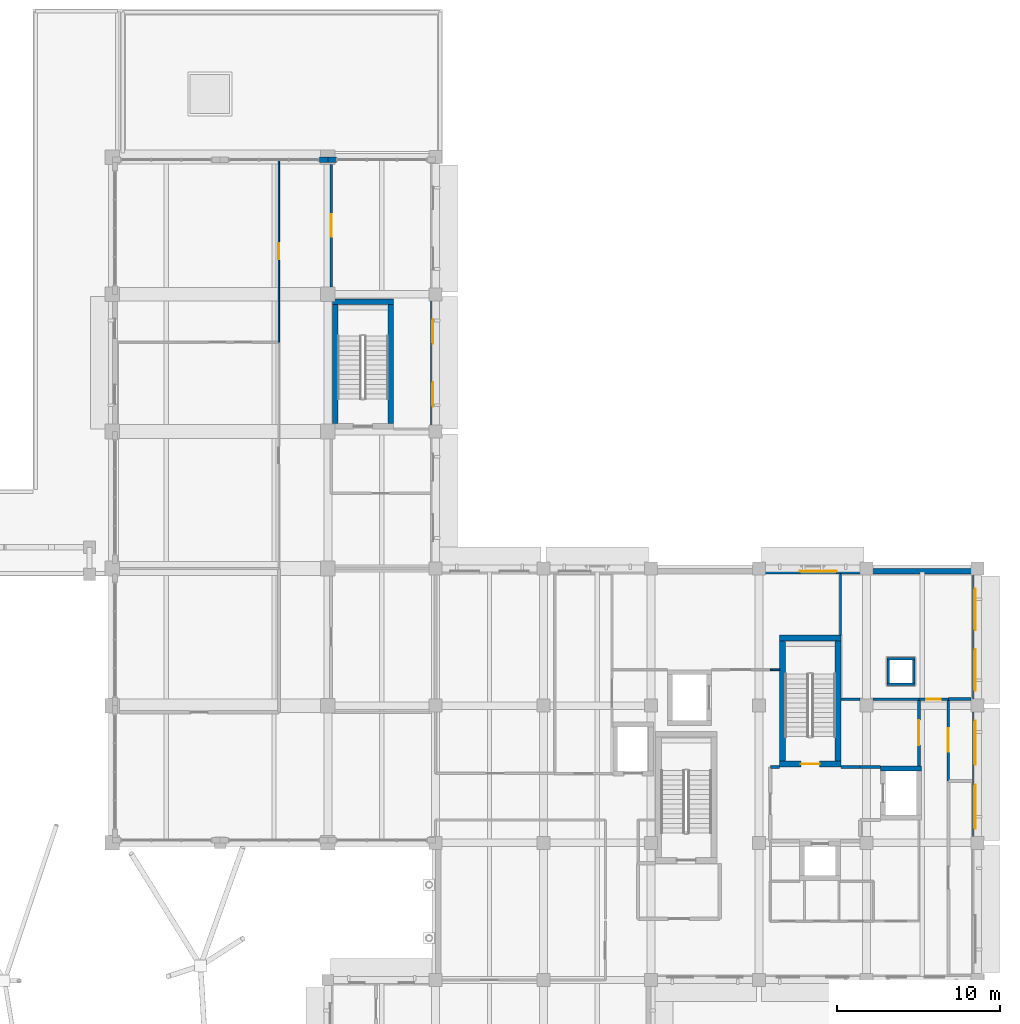
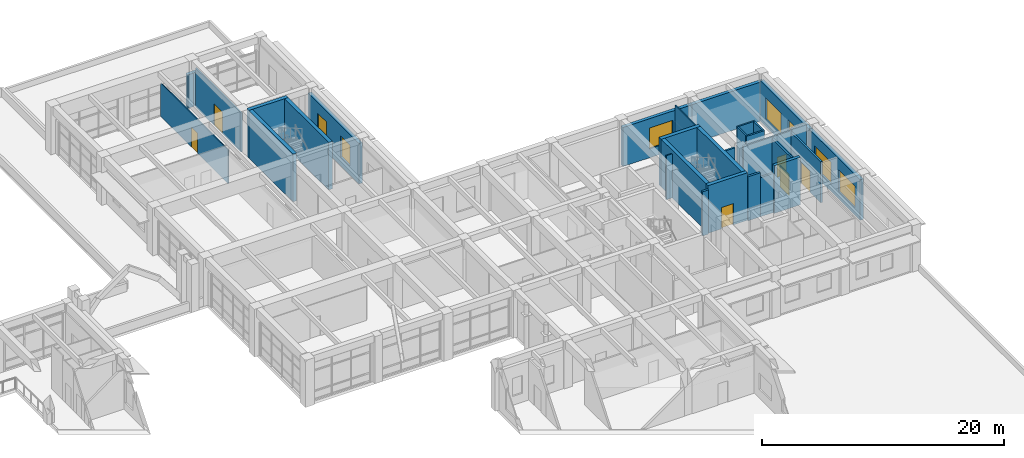
# One storey, part 55 of 75: 32 walls, 7 windows, 6 doors, 13 openings.
"""IFC4 building model written with IfcOpenShell, lengths in metres."""

from ifc_helpers import new_model, si_unit, direction, frame, frame_2d, origin, place, context, subcontext, project, spatial, rectangle, extrude, material, layer, layer_set, type_object, element, fill, save


model = new_model("IFC4")

# Units and contexts
model_context = context("Model", 3, precision=1e-05, world=origin(), true_north=direction((0.0, 1.0)))
body_context = subcontext(model_context, "Body", "Model", "MODEL_VIEW")
ifc_project = project(units=[si_unit("LENGTHUNIT", "METRE"), si_unit("AREAUNIT", "SQUARE_METRE"), si_unit("VOLUMEUNIT", "CUBIC_METRE"), si_unit("PLANEANGLEUNIT", "RADIAN"), si_unit("MASSUNIT", "GRAM", prefix="KILO")], contexts=[model_context])

# Site, building, storey
site_placement = place(None, origin())
site = spatial("IfcSite", under=ifc_project, at=site_placement, CompositionType="ELEMENT")
building_placement = place(site_placement, origin())
building = spatial("IfcBuilding", under=site, at=building_placement, Name="Kolvaren Faculty of Natural Sciences", CompositionType="ELEMENT")
storey_placement = place(building_placement, frame((0.0, 0.0, 5.39990234375)))
storey = spatial("IfcBuildingStorey", under=building, at=storey_placement, Name="L01", CompositionType="ELEMENT", Elevation=5.39990234375)

# Wall, opening, door
ifc_material_1 = material(Name="Acoustic mineral-wool insulated gypsum partition")
ifc_layer_1 = layer(ifc_material_1, 0.159912109375)
ifc_layer_set_1 = layer_set([ifc_layer_1], Name="Acoustic mineral-wool insulated gypsum partition")
wall_type_1 = type_object("IfcWallType", Name="ClassroomPartitionWall_160", PredefinedType="PARTITIONING", material=ifc_layer_set_1)
wall_1_placement = place(storey_placement, frame((170.199951171875, 76.199951171875, 0.0), z_axis=(0.0, 0.0, 1.0), x_axis=(-1.0, 0.0, 0.0)))
wall_1 = element("IfcWall", 1, at=wall_1_placement, inside=storey, type_object=wall_type_1, Name="L01 interior partition PW-160", PredefinedType="PARTITIONING", context=body_context, shape_type="SweptSolid", body=[
    extrude(rectangle(XDim=1.800048828125, YDim=0.159912109375, at=frame_2d((0.89990234375, 0.0))), origin(), (0.0, 0.0, 1.0), 4.28515625),
])
opening_1_placement = place(wall_1_placement, frame((0.449951171875, 0.0, 0.0)))
opening_1 = element("IfcOpeningElement", 2, at=opening_1_placement, cuts=wall_1, Name="Opening ID-01", PredefinedType="OPENING", context=body_context, shape_type="SweptSolid", body=[
    extrude(rectangle(XDim=0.89990234375, YDim=2.02001953125, at=frame_2d((0.449951171875, 1.010009765625))), frame((0.0, 0.08984375, 0.0), z_axis=(0.0, -1.0, 0.0), x_axis=(1.0, 0.0, 0.0)), (0.0, 0.0, 1.0), 0.179931640625),
])
ifc_material_2 = material(Name="Solid-core hardwood veneer door leaf in steel frame", Category="steel")
door_type_1 = type_object("IfcDoorType", Name="InteriorRoomDoor_900x2020", OperationType="NOTDEFINED", PredefinedType="DOOR", material=ifc_material_2)
door_1_placement = place(opening_1_placement, origin())
door_1 = element("IfcDoor", 3, at=door_1_placement, inside=storey, type_object=door_type_1, Name="D-L01-0165", OperationType="SINGLE_SWING_RIGHT", OverallHeight=2.02001953125, OverallWidth=0.89990234375, PredefinedType="DOOR", context=body_context, shape_type="SweptSolid", body=[
    extrude(rectangle(XDim=0.89990234375, YDim=2.02001953125, at=frame_2d((0.449951171875, 1.010009765625))), frame((0.0, 0.02490234375, 0.0), z_axis=(0.0, -1.0, 0.0), x_axis=(1.0, 0.0, 0.0)), (0.0, 0.0, 1.0), 0.050048828125),
])
fill(opening_1, door_1)

ifc_layer_2 = layer(ifc_material_1, 0.139892578125)
ifc_layer_set_2 = layer_set([ifc_layer_2], Name="Acoustic mineral-wool insulated gypsum partition")
wall_type_2 = type_object("IfcWallType", Name="CommonsPartitionWall_140", PredefinedType="PARTITIONING", material=ifc_layer_set_2)
wall_2_placement = place(storey_placement, frame((132.39990234375, 101.449951171875, 0.0), z_axis=(0.0, 0.0, 1.0), x_axis=(0.0, 1.0, 0.0)))
wall_2 = element("IfcWall", 4, at=wall_2_placement, inside=storey, type_object=wall_type_2, Name="L01 interior partition PW-140", PredefinedType="PARTITIONING", context=body_context, shape_type="SweptSolid", body=[
    extrude(rectangle(XDim=7.5, YDim=0.139892578125, at=frame_2d((3.75, 0.0))), origin(), (0.0, 0.0, 1.0), 3.93505859375),
])
opening_2_placement = place(wall_2_placement, frame((3.06005859375, 0.0, 0.0)))
opening_2 = element("IfcOpeningElement", 5, at=opening_2_placement, cuts=wall_2, Name="Opening ID-31", PredefinedType="OPENING", context=body_context, shape_type="SweptSolid", body=[
    extrude(rectangle(XDim=1.3798828125, YDim=2.199951171875, at=frame_2d((0.68994140625, 1.10009765625))), frame((0.0, 0.079833984375, 0.0), z_axis=(0.0, -1.0, 0.0), x_axis=(1.0, 0.0, 0.0)), (0.0, 0.0, 1.0), 0.159912109375),
])
ifc_material_3 = material(Name="Thermally broken anodised aluminium glazed door", Category="aluminium")
door_type_2 = type_object("IfcDoorType", Name="InteriorRoomDoor_1380x2200", OperationType="DOUBLE_DOOR_SINGLE_SWING", PredefinedType="DOOR", material=ifc_material_3)
door_2_placement = place(opening_2_placement, origin())
door_2 = element("IfcDoor", 6, at=door_2_placement, inside=storey, type_object=door_type_2, Name="D-L01-0167", OperationType="DOUBLE_DOOR_SINGLE_SWING", OverallHeight=2.199951171875, OverallWidth=1.3798828125, PredefinedType="DOOR", context=body_context, shape_type="SweptSolid", body=[
    extrude(rectangle(XDim=1.3798828125, YDim=2.199951171875, at=frame_2d((0.68994140625, 1.10009765625))), frame((0.0, 0.02490234375, 0.0), z_axis=(0.0, -1.0, 0.0), x_axis=(1.0, 0.0, 0.0)), (0.0, 0.0, 1.0), 0.050048828125),
])
fill(opening_2, door_2)

ifc_material_4 = material(Name="Concrete C40/50", Category="concrete")
ifc_layer_3 = layer(ifc_material_4, 0.35009765625)
ifc_layer_set_3 = layer_set([ifc_layer_3], Name="Concrete C40/50")
wall_type_3 = type_object("IfcWallType", Name="CoreShearWall_350", PredefinedType="SHEAR", material=ifc_layer_set_3)
wall_3_placement = place(storey_placement, frame((159.875, 72.22509765625, 0.0), z_axis=(0.0, 0.0, 1.0), x_axis=(1.0, 0.0, 0.0)))
wall_3 = element("IfcWall", 7, at=wall_3_placement, inside=storey, type_object=wall_type_3, Name="L01 CORE-C1 stair shear wall S", PredefinedType="SHEAR", context=body_context, shape_type="SweptSolid", body=[
    extrude(rectangle(XDim=3.75, YDim=0.35009765625, at=frame_2d((1.875, 0.0))), origin(), (0.0, 0.0, 1.0), 4.800048828125),
])
opening_3_placement = place(wall_3_placement, frame((1.300048828125, 0.0, 0.0)))
opening_3 = element("IfcOpeningElement", 8, at=opening_3_placement, cuts=wall_3, Name="Opening FD90", PredefinedType="OPENING", context=body_context, shape_type="SweptSolid", body=[
    extrude(rectangle(XDim=1.14990234375, YDim=2.14990234375, at=frame_2d((0.574951171875, 1.074951171875))), frame((0.0, 0.18505859375, 0.0), z_axis=(0.0, -1.0, 0.0), x_axis=(1.0, 0.0, 0.0)), (0.0, 0.0, 1.0), 0.3701171875),
])
ifc_material_5 = material(Name="Fire-rated solid-core hardwood door leaf in steel frame", Category="steel")
door_type_3 = type_object("IfcDoorType", Name="StairCoreFireDoor_1150x2150", OperationType="NOTDEFINED", PredefinedType="DOOR", material=ifc_material_5)
door_3_placement = place(opening_3_placement, origin())
door_3 = element("IfcDoor", 9, at=door_3_placement, inside=storey, type_object=door_type_3, Name="D-ST-ST-1-L01", OperationType="SINGLE_SWING_LEFT", OverallHeight=2.14990234375, OverallWidth=1.14990234375, PredefinedType="DOOR", context=body_context, shape_type="SweptSolid", body=[
    extrude(rectangle(XDim=1.14990234375, YDim=2.14990234375, at=frame_2d((0.574951171875, 1.074951171875))), frame((0.0, 0.02490234375, 0.0), z_axis=(0.0, -1.0, 0.0), x_axis=(1.0, 0.0, 0.0)), (0.0, 0.0, 1.0), 0.050048828125),
])
fill(opening_3, door_3)

# Walls
wall_4_placement = place(storey_placement, frame((159.875, 79.949951171875, 0.0), z_axis=(0.0, 0.0, 1.0), x_axis=(1.0, 0.0, 0.0)))
element("IfcWall", 10, at=wall_4_placement, inside=storey, type_object=wall_type_3, Name="L01 CORE-C1 stair shear wall N", PredefinedType="SHEAR", context=body_context, shape_type="SweptSolid", body=[
    extrude(rectangle(XDim=3.75, YDim=0.35009765625, at=frame_2d((1.875, 0.0))), origin(), (0.0, 0.0, 1.0), 4.800048828125),
])
for number, where, z_axis, x_axis, name in (
    (11, (160.050048828125, 72.39990234375, 0.0), (0.0, 0.0, 1.0), (0.0, 1.0, 0.0), "L01 CORE-C1 stair shear wall W"),
    (12, (163.449951171875, 72.39990234375, 0.0), (0.0, 0.0, 1.0), (0.0, 1.0, 0.0), "L01 CORE-C1 stair shear wall E"),
):
    element("IfcWall", number, at=place(storey_placement, frame(where, z_axis=z_axis, x_axis=x_axis)), inside=storey, type_object=wall_type_3, Name=name, PredefinedType="SHEAR", context=body_context, shape_type="SweptSolid", body=[
        extrude(rectangle(XDim=7.375, YDim=0.35009765625, at=frame_2d((3.6875, 0.0))), origin(), (0.0, 0.0, 1.0), 4.800048828125),
    ])
wall_5_placement = place(storey_placement, frame((132.47509765625, 100.550048828125, 0.0), z_axis=(0.0, 0.0, 1.0), x_axis=(1.0, 0.0, 0.0)))
element("IfcWall", 13, at=wall_5_placement, inside=storey, type_object=wall_type_3, Name="L01 CORE-C7 stair shear wall N", PredefinedType="SHEAR", context=body_context, shape_type="SweptSolid", body=[
    extrude(rectangle(XDim=3.75, YDim=0.35009765625, at=frame_2d((1.875, 0.0))), origin(), (0.0, 0.0, 1.0), 4.800048828125),
])
for number, where, z_axis, x_axis, name in (
    (14, (132.64990234375, 93.10009765625, 0.0), (0.0, 0.0, 1.0), (0.0, 1.0, 0.0), "L01 CORE-C7 stair shear wall W"),
    (15, (136.050048828125, 93.10009765625, 0.0), (0.0, 0.0, 1.0), (0.0, 1.0, 0.0), "L01 CORE-C7 stair shear wall E"),
):
    element("IfcWall", number, at=place(storey_placement, frame(where, z_axis=z_axis, x_axis=x_axis)), inside=storey, type_object=wall_type_3, Name=name, PredefinedType="SHEAR", context=body_context, shape_type="SweptSolid", body=[
        extrude(rectangle(XDim=7.27490234375, YDim=0.35009765625, at=frame_2d((3.637451171875, 0.0))), origin(), (0.0, 0.0, 1.0), 4.800048828125),
    ])

# Wall, opening, door
ifc_layer_4 = layer(ifc_material_1, 0.094970703125)
ifc_layer_set_4 = layer_set([ifc_layer_4], Name="Acoustic mineral-wool insulated gypsum partition")
wall_type_4 = type_object("IfcWallType", Name="CubiclePartition_095", PredefinedType="PARTITIONING", material=ifc_layer_set_4)
wall_6_placement = place(storey_placement, frame((129.199951171875, 109.199951171875, 0.0), z_axis=(0.0, 0.0, 1.0), x_axis=(0.0, -1.0, 0.0)))
wall_6 = element("IfcWall", 16, at=wall_6_placement, inside=storey, type_object=wall_type_4, Name="L01 interior partition PW-095", PredefinedType="PARTITIONING", context=body_context, shape_type="SweptSolid", body=[
    extrude(rectangle(XDim=11.139892578125, YDim=0.094970703125, at=frame_2d((5.56982421875, 0.0))), origin(), (0.0, 0.0, 1.0), 3.385009765625),
])
opening_4_placement = place(wall_6_placement, frame((5.080078125, 0.0, 0.0)))
opening_4 = element("IfcOpeningElement", 17, at=opening_4_placement, cuts=wall_6, Name="Opening ID-03", PredefinedType="OPENING", context=body_context, shape_type="SweptSolid", body=[
    extrude(rectangle(XDim=0.97998046875, YDim=2.02001953125, at=frame_2d((0.489990234375, 1.010009765625))), frame((0.0, 0.057373046875, 0.0), z_axis=(0.0, -1.0, 0.0), x_axis=(1.0, 0.0, 0.0)), (0.0, 0.0, 1.0), 0.114990234375),
])
door_type_4 = type_object("IfcDoorType", Name="InteriorRoomDoor_980x2020", OperationType="NOTDEFINED", PredefinedType="DOOR", material=ifc_material_2)
door_4_placement = place(opening_4_placement, origin())
door_4 = element("IfcDoor", 18, at=door_4_placement, inside=storey, type_object=door_type_4, Name="D-L01-0128", OperationType="SINGLE_SWING_RIGHT", OverallHeight=2.02001953125, OverallWidth=0.97998046875, PredefinedType="DOOR", context=body_context, shape_type="SweptSolid", body=[
    extrude(rectangle(XDim=0.97998046875, YDim=2.02001953125, at=frame_2d((0.489990234375, 1.010009765625))), frame((0.0, 0.02490234375, 0.0), z_axis=(0.0, -1.0, 0.0), x_axis=(1.0, 0.0, 0.0)), (0.0, 0.0, 1.0), 0.050048828125),
])
fill(opening_4, door_4)

# Walls
ifc_material_6 = material(Name="Sandstone-faced insulated cavity masonry", Category="masonry")
ifc_layer_5 = layer(ifc_material_6, 0.320068359375)
ifc_layer_set_5 = layer_set([ifc_layer_5], Name="Sandstone-faced insulated cavity masonry")
wall_type_5 = type_object("IfcWallType", Name="ExteriorCavityWall_320", PredefinedType="STANDARD", material=ifc_layer_set_5)
for number, where, z_axis, x_axis, name in (
    (19, (131.679931640625, 109.239990234375, 0.0), (0.0, 0.0, 1.0), (1.0, 0.0, 0.0), "L01 curtain-wall pier stub 205"),
    (20, (132.199951171875, 109.239990234375, 0.0), (0.0, 0.0, 1.0), (1.0, 0.0, 0.0), "L01 curtain-wall pier stub 206"),
):
    element("IfcWall", number, at=place(storey_placement, frame(where, z_axis=z_axis, x_axis=x_axis)), inside=storey, type_object=wall_type_5, Name=name, PredefinedType="STANDARD", context=body_context, shape_type="SweptSolid", body=[
        extrude(rectangle(XDim=0.52001953125, YDim=0.320068359375, at=frame_2d((0.260009765625, 0.0))), origin(), (0.0, 0.0, 1.0), 3.385009765625),
    ])

# Wall, openings, windows
wall_7_placement = place(storey_placement, frame((138.639892578125, 101.0, 0.0), z_axis=(0.0, 0.0, 1.0), x_axis=(0.0, -1.0, 0.0)))
wall_7 = element("IfcWall", 21, at=wall_7_placement, inside=storey, type_object=wall_type_5, Name="L01 exterior masonry wall EW-320 (209)", PredefinedType="STANDARD", context=body_context, shape_type="SweptSolid", body=[
    extrude(rectangle(XDim=8.39990234375, YDim=0.320068359375, at=frame_2d((4.199951171875, 0.0))), origin(), (0.0, 0.0, 1.0), 4.085205078125),
])
opening_5_placement = place(wall_7_placement, frame((1.51806640625, 0.0, 0.89990234375)))
opening_5 = element("IfcOpeningElement", 22, at=opening_5_placement, cuts=wall_7, Name="Opening WIN-03", PredefinedType="OPENING", context=body_context, shape_type="SweptSolid", body=[
    extrude(rectangle(XDim=1.5, YDim=2.10009765625, at=frame_2d((0.75, 1.050048828125))), frame((0.0, 0.169921875, 0.0), z_axis=(0.0, -1.0, 0.0), x_axis=(1.0, 0.0, 0.0)), (0.0, 0.0, 1.0), 0.340087890625),
])
opening_6_placement = place(wall_7_placement, frame((5.382080078125, 0.0, 0.89990234375)))
opening_6 = element("IfcOpeningElement", 23, at=opening_6_placement, cuts=wall_7, Name="Opening WIN-03", PredefinedType="OPENING", context=body_context, shape_type="SweptSolid", body=[
    extrude(rectangle(XDim=1.5, YDim=2.10009765625, at=frame_2d((0.75, 1.050048828125))), frame((0.0, 0.169921875, 0.0), z_axis=(0.0, -1.0, 0.0), x_axis=(1.0, 0.0, 0.0)), (0.0, 0.0, 1.0), 0.340087890625),
])
ifc_material_7 = material(Name="Double low-E solar control insulated glazing", Category="glass")
window_type_1 = type_object("IfcWindowType", Name="AluWindow_WIN03_1500x2100", PartitioningType="SINGLE_PANEL", PredefinedType="WINDOW", material=ifc_material_7)
window_1_placement = place(opening_5_placement, origin())
window_1 = element("IfcWindow", 24, at=window_1_placement, inside=storey, type_object=window_type_1, Name="WIN-L01-0177", OverallHeight=2.10009765625, OverallWidth=1.5, PartitioningType="SINGLE_PANEL", PredefinedType="WINDOW", context=body_context, shape_type="SweptSolid", body=[
    extrude(rectangle(XDim=1.5, YDim=2.10009765625, at=frame_2d((0.75, 1.050048828125))), frame((0.0, 0.030029296875, 0.0), z_axis=(0.0, -1.0, 0.0), x_axis=(1.0, 0.0, 0.0)), (0.0, 0.0, 1.0), 0.06005859375),
])
fill(opening_5, window_1)
window_2_placement = place(opening_6_placement, origin())
window_2 = element("IfcWindow", 25, at=window_2_placement, inside=storey, type_object=window_type_1, Name="WIN-L01-0178", OverallHeight=2.10009765625, OverallWidth=1.5, PartitioningType="SINGLE_PANEL", PredefinedType="WINDOW", context=body_context, shape_type="SweptSolid", body=[
    extrude(rectangle(XDim=1.5, YDim=2.10009765625, at=frame_2d((0.75, 1.050048828125))), frame((0.0, 0.030029296875, 0.0), z_axis=(0.0, -1.0, 0.0), x_axis=(1.0, 0.0, 0.0)), (0.0, 0.0, 1.0), 0.06005859375),
])
fill(opening_6, window_2)

# Wall, opening, window
wall_8_placement = place(storey_placement, frame((158.60009765625, 84.0400390625, 0.0), z_axis=(0.0, 0.0, 1.0), x_axis=(1.0, 0.0, 0.0)))
wall_8 = element("IfcWall", 26, at=wall_8_placement, inside=storey, type_object=wall_type_5, Name="L01 exterior masonry wall EW-320 (214)", PredefinedType="STANDARD", context=body_context, shape_type="SweptSolid", body=[
    extrude(rectangle(XDim=6.599853515625, YDim=0.320068359375, at=frame_2d((3.2998046875, 0.0))), origin(), (0.0, 0.0, 1.0), 3.93505859375),
])
opening_7_placement = place(wall_8_placement, frame((2.510009765625, 0.0, 0.89990234375)))
opening_7 = element("IfcOpeningElement", 27, at=opening_7_placement, cuts=wall_8, Name="Opening WIN-08", PredefinedType="OPENING", context=body_context, shape_type="SweptSolid", body=[
    extrude(rectangle(XDim=2.25, YDim=2.10009765625, at=frame_2d((1.125, 1.050048828125))), frame((0.0, 0.169921875, 0.0), z_axis=(0.0, -1.0, 0.0), x_axis=(1.0, 0.0, 0.0)), (0.0, 0.0, 1.0), 0.340087890625),
])
window_type_2 = type_object("IfcWindowType", Name="AluWindow_WIN08_2250x2100", PartitioningType="SINGLE_PANEL", PredefinedType="WINDOW", material=ifc_material_7)
window_3_placement = place(opening_7_placement, origin())
window_3 = element("IfcWindow", 28, at=window_3_placement, inside=storey, type_object=window_type_2, Name="WIN-L01-0184", OverallHeight=2.10009765625, OverallWidth=2.25, PartitioningType="SINGLE_PANEL", PredefinedType="WINDOW", context=body_context, shape_type="SweptSolid", body=[
    extrude(rectangle(XDim=2.25, YDim=2.10009765625, at=frame_2d((1.125, 1.050048828125))), frame((0.0, 0.030029296875, 0.0), z_axis=(0.0, -1.0, 0.0), x_axis=(1.0, 0.0, 0.0)), (0.0, 0.0, 1.0), 0.06005859375),
])
fill(opening_7, window_3)

# Wall
wall_9_placement = place(storey_placement, frame((165.199951171875, 84.0400390625, 0.0), z_axis=(0.0, 0.0, 1.0), x_axis=(1.0, 0.0, 0.0)))
element("IfcWall", 29, at=wall_9_placement, inside=storey, type_object=wall_type_5, Name="L01 exterior masonry wall EW-320 (215)", PredefinedType="STANDARD", context=body_context, shape_type="SweptSolid", body=[
    extrude(rectangle(XDim=6.800048828125, YDim=0.320068359375, at=frame_2d((3.39990234375, 0.0))), origin(), (0.0, 0.0, 1.0), 3.93505859375),
])

# Wall, openings, windows
wall_10_placement = place(storey_placement, frame((171.840087890625, 83.8798828125, 0.0), z_axis=(0.0, 0.0, 1.0), x_axis=(0.0, -1.0, 0.0)))
wall_10 = element("IfcWall", 30, at=wall_10_placement, inside=storey, type_object=wall_type_5, Name="L01 exterior masonry wall EW-320 (216)", PredefinedType="STANDARD", context=body_context, shape_type="SweptSolid", body=[
    extrude(rectangle(XDim=8.079833984375, YDim=0.320068359375, at=frame_2d((4.0400390625, 0.0))), origin(), (0.0, 0.0, 1.0), 4.085205078125),
])
opening_8_placement = place(wall_10_placement, frame((0.906494140625, 0.0, 0.75)))
opening_8 = element("IfcOpeningElement", 31, at=opening_8_placement, cuts=wall_10, Name="Opening WIN-10", PredefinedType="OPENING", context=body_context, shape_type="SweptSolid", body=[
    extrude(rectangle(XDim=2.550048828125, YDim=2.14990234375, at=frame_2d((1.27490234375, 1.074951171875))), frame((0.0, 0.169921875, 0.0), z_axis=(0.0, -1.0, 0.0), x_axis=(1.0, 0.0, 0.0)), (0.0, 0.0, 1.0), 0.340087890625),
])
opening_9_placement = place(wall_10_placement, frame((4.623291015625, 0.0, 0.75)))
opening_9 = element("IfcOpeningElement", 32, at=opening_9_placement, cuts=wall_10, Name="Opening WIN-10", PredefinedType="OPENING", context=body_context, shape_type="SweptSolid", body=[
    extrude(rectangle(XDim=2.550048828125, YDim=2.14990234375, at=frame_2d((1.27490234375, 1.074951171875))), frame((0.0, 0.169921875, 0.0), z_axis=(0.0, -1.0, 0.0), x_axis=(1.0, 0.0, 0.0)), (0.0, 0.0, 1.0), 0.340087890625),
])
window_type_3 = type_object("IfcWindowType", Name="AluWindow_WIN10_2550x2150", PartitioningType="SINGLE_PANEL", PredefinedType="WINDOW", material=ifc_material_7)
window_4_placement = place(opening_8_placement, origin())
window_4 = element("IfcWindow", 33, at=window_4_placement, inside=storey, type_object=window_type_3, Name="WIN-L01-0185", OverallHeight=2.14990234375, OverallWidth=2.550048828125, PartitioningType="SINGLE_PANEL", PredefinedType="WINDOW", context=body_context, shape_type="SweptSolid", body=[
    extrude(rectangle(XDim=2.550048828125, YDim=2.14990234375, at=frame_2d((1.27490234375, 1.074951171875))), frame((0.0, 0.030029296875, 0.0), z_axis=(0.0, -1.0, 0.0), x_axis=(1.0, 0.0, 0.0)), (0.0, 0.0, 1.0), 0.06005859375),
])
fill(opening_8, window_4)
window_5_placement = place(opening_9_placement, origin())
window_5 = element("IfcWindow", 34, at=window_5_placement, inside=storey, type_object=window_type_3, Name="WIN-L01-0186", OverallHeight=2.14990234375, OverallWidth=2.550048828125, PartitioningType="SINGLE_PANEL", PredefinedType="WINDOW", context=body_context, shape_type="SweptSolid", body=[
    extrude(rectangle(XDim=2.550048828125, YDim=2.14990234375, at=frame_2d((1.27490234375, 1.074951171875))), frame((0.0, 0.030029296875, 0.0), z_axis=(0.0, -1.0, 0.0), x_axis=(1.0, 0.0, 0.0)), (0.0, 0.0, 1.0), 0.06005859375),
])
fill(opening_9, window_5)

wall_11_placement = place(storey_placement, frame((171.840087890625, 75.800048828125, 0.0), z_axis=(0.0, 0.0, 1.0), x_axis=(0.0, -1.0, 0.0)))
wall_11 = element("IfcWall", 35, at=wall_11_placement, inside=storey, type_object=wall_type_5, Name="L01 exterior masonry wall EW-320 (217)", PredefinedType="STANDARD", context=body_context, shape_type="SweptSolid", body=[
    extrude(rectangle(XDim=8.400146484375, YDim=0.320068359375, at=frame_2d((4.2001953125, 0.0))), origin(), (0.0, 0.0, 1.0), 4.085205078125),
])
opening_10_placement = place(wall_11_placement, frame((0.91796875, 0.0, 0.75)))
opening_10 = element("IfcOpeningElement", 36, at=opening_10_placement, cuts=wall_11, Name="Opening WIN-11", PredefinedType="OPENING", context=body_context, shape_type="SweptSolid", body=[
    extrude(rectangle(XDim=2.699951171875, YDim=2.199951171875, at=frame_2d((1.35009765625, 1.10009765625))), frame((0.0, 0.169921875, 0.0), z_axis=(0.0, -1.0, 0.0), x_axis=(1.0, 0.0, 0.0)), (0.0, 0.0, 1.0), 0.340087890625),
])
opening_11_placement = place(wall_11_placement, frame((4.840087890625, 0.0, 0.75)))
opening_11 = element("IfcOpeningElement", 37, at=opening_11_placement, cuts=wall_11, Name="Opening WIN-11", PredefinedType="OPENING", context=body_context, shape_type="SweptSolid", body=[
    extrude(rectangle(XDim=2.699951171875, YDim=2.199951171875, at=frame_2d((1.35009765625, 1.10009765625))), frame((0.0, 0.169921875, 0.0), z_axis=(0.0, -1.0, 0.0), x_axis=(1.0, 0.0, 0.0)), (0.0, 0.0, 1.0), 0.340087890625),
])
window_type_4 = type_object("IfcWindowType", Name="AluWindow_WIN11_2700x2200", PartitioningType="SINGLE_PANEL", PredefinedType="WINDOW", material=ifc_material_7)
window_6_placement = place(opening_10_placement, origin())
window_6 = element("IfcWindow", 38, at=window_6_placement, inside=storey, type_object=window_type_4, Name="WIN-L01-0187", OverallHeight=2.199951171875, OverallWidth=2.699951171875, PartitioningType="SINGLE_PANEL", PredefinedType="WINDOW", context=body_context, shape_type="SweptSolid", body=[
    extrude(rectangle(XDim=2.699951171875, YDim=2.199951171875, at=frame_2d((1.35009765625, 1.10009765625))), frame((0.0, 0.030029296875, 0.0), z_axis=(0.0, -1.0, 0.0), x_axis=(1.0, 0.0, 0.0)), (0.0, 0.0, 1.0), 0.06005859375),
])
fill(opening_10, window_6)
window_7_placement = place(opening_11_placement, origin())
window_7 = element("IfcWindow", 39, at=window_7_placement, inside=storey, type_object=window_type_4, Name="WIN-L01-0188", OverallHeight=2.199951171875, OverallWidth=2.699951171875, PartitioningType="SINGLE_PANEL", PredefinedType="WINDOW", context=body_context, shape_type="SweptSolid", body=[
    extrude(rectangle(XDim=2.699951171875, YDim=2.199951171875, at=frame_2d((1.35009765625, 1.10009765625))), frame((0.0, 0.030029296875, 0.0), z_axis=(0.0, -1.0, 0.0), x_axis=(1.0, 0.0, 0.0)), (0.0, 0.0, 1.0), 0.06005859375),
])
fill(opening_11, window_7)

# Walls
ifc_material_8 = material(Name="Autoclaved aerated fire-rated masonry blockwork", Category="masonry")
ifc_layer_6 = layer(ifc_material_8, 0.199951171875)
ifc_layer_set_6 = layer_set([ifc_layer_6], Name="Autoclaved aerated fire-rated masonry blockwork")
wall_type_6 = type_object("IfcWallType", Name="FireLobbyWall_200", PredefinedType="PARTITIONING", material=ifc_layer_set_6)
wall_12_placement = place(storey_placement, frame((159.300048828125, 72.050048828125, 0.0), z_axis=(0.0, 0.0, 1.0), x_axis=(1.0, 0.0, 0.0)))
element("IfcWall", 40, at=wall_12_placement, inside=storey, type_object=wall_type_6, Name="L01 interior partition FW-200", PredefinedType="PARTITIONING", context=body_context, shape_type="SweptSolid", body=[
    extrude(rectangle(XDim=0.574951171875, YDim=0.199951171875, at=frame_2d((0.28759765625, 0.0))), origin(), (0.0, 0.0, 1.0), 4.445068359375),
])
wall_13_placement = place(storey_placement, frame((163.625, 72.050048828125, 0.0), z_axis=(0.0, 0.0, 1.0), x_axis=(1.0, 0.0, 0.0)))
element("IfcWall", 41, at=wall_13_placement, inside=storey, type_object=wall_type_6, Name="L01 interior partition FW-200", PredefinedType="PARTITIONING", context=body_context, shape_type="SweptSolid", body=[
    extrude(rectangle(XDim=1.175048828125, YDim=0.199951171875, at=frame_2d((0.58740234375, 0.0))), origin(), (0.0, 0.0, 1.0), 4.445068359375),
])
wall_14_placement = place(storey_placement, frame((164.800048828125, 72.050048828125, 0.0), z_axis=(0.0, 0.0, 1.0), x_axis=(1.0, 0.0, 0.0)))
element("IfcWall", 42, at=wall_14_placement, inside=storey, type_object=wall_type_6, Name="L01 interior partition FW-200", PredefinedType="PARTITIONING", context=body_context, shape_type="SweptSolid", body=[
    extrude(rectangle(XDim=1.25, YDim=0.199951171875, at=frame_2d((0.625, 0.0))), origin(), (0.0, 0.0, 1.0), 3.93505859375),
])
ifc_layer_7 = layer(ifc_material_1, 0.179931640625)
ifc_layer_set_7 = layer_set([ifc_layer_7], Name="Acoustic mineral-wool insulated gypsum partition")
wall_type_7 = type_object("IfcWallType", Name="LabPartitionWall_180", PredefinedType="PARTITIONING", material=ifc_layer_set_7)
wall_15_placement = place(storey_placement, frame((170.199951171875, 76.199951171875, 0.0), z_axis=(0.0, 0.0, 1.0), x_axis=(1.0, 0.0, 0.0)))
element("IfcWall", 43, at=wall_15_placement, inside=storey, type_object=wall_type_7, Name="L01 interior partition PW-180", PredefinedType="PARTITIONING", context=body_context, shape_type="SweptSolid", body=[
    extrude(rectangle(XDim=1.400146484375, YDim=0.179931640625, at=frame_2d((0.7001953125, 0.0))), origin(), (0.0, 0.0, 1.0), 4.445068359375),
])

# Wall, opening, door
wall_16_placement = place(storey_placement, frame((170.199951171875, 71.199951171875, 0.0), z_axis=(0.0, 0.0, 1.0), x_axis=(0.0, 1.0, 0.0)))
wall_16 = element("IfcWall", 44, at=wall_16_placement, inside=storey, type_object=wall_type_7, Name="L01 interior partition PW-180", PredefinedType="PARTITIONING", context=body_context, shape_type="SweptSolid", body=[
    extrude(rectangle(XDim=5.0, YDim=0.179931640625, at=frame_2d((2.5, 0.0))), origin(), (0.0, 0.0, 1.0), 4.135009765625),
])
opening_12_placement = place(wall_16_placement, frame((1.780029296875, 0.0, 0.0)))
opening_12 = element("IfcOpeningElement", 45, at=opening_12_placement, cuts=wall_16, Name="Opening ID-27", PredefinedType="OPENING", context=body_context, shape_type="SweptSolid", body=[
    extrude(rectangle(XDim=1.43994140625, YDim=2.139892578125, at=frame_2d((0.719970703125, 1.06982421875))), frame((0.0, 0.099853515625, 0.0), z_axis=(0.0, -1.0, 0.0), x_axis=(1.0, 0.0, 0.0)), (0.0, 0.0, 1.0), 0.199951171875),
])
door_type_5 = type_object("IfcDoorType", Name="InteriorRoomDoor_1440x2140", OperationType="DOUBLE_DOOR_SINGLE_SWING", PredefinedType="DOOR", material=ifc_material_3)
door_5_placement = place(opening_12_placement, origin())
door_5 = element("IfcDoor", 46, at=door_5_placement, inside=storey, type_object=door_type_5, Name="D-L01-0163", OperationType="DOUBLE_DOOR_SINGLE_SWING", OverallHeight=2.139892578125, OverallWidth=1.43994140625, PredefinedType="DOOR", context=body_context, shape_type="SweptSolid", body=[
    extrude(rectangle(XDim=1.43994140625, YDim=2.139892578125, at=frame_2d((0.719970703125, 1.06982421875))), frame((0.0, 0.02490234375, 0.0), z_axis=(0.0, -1.0, 0.0), x_axis=(1.0, 0.0, 0.0)), (0.0, 0.0, 1.0), 0.050048828125),
])
fill(opening_12, door_5)

# Walls
ifc_material_9 = material(Name="Double fire-rated gypsum board on 100 mm steel stud", Category="steel")
ifc_layer_8 = layer(ifc_material_9, 0.159912109375)
ifc_layer_set_8 = layer_set([ifc_layer_8], Name="Double fire-rated gypsum board on 100 mm steel stud")
wall_type_8 = type_object("IfcWallType", Name="RiserShaftWall_160", PredefinedType="PARTITIONING", material=ifc_layer_set_8)
for number, where, z_axis, x_axis, name in (
    (47, (166.43994140625, 77.1201171875, 0.0), (0.0, 0.0, 1.0), (1.0, 0.0, 0.0), "L01 service riser shaft wall S"),
    (48, (166.43994140625, 78.679931640625, 0.0), (0.0, 0.0, 1.0), (1.0, 0.0, 0.0), "L01 service riser shaft wall N"),
):
    element("IfcWall", number, at=place(storey_placement, frame(where, z_axis=z_axis, x_axis=x_axis)), inside=storey, type_object=wall_type_8, Name=name, PredefinedType="PARTITIONING", context=body_context, shape_type="SweptSolid", body=[
        extrude(rectangle(XDim=1.719970703125, YDim=0.159912109375, at=frame_2d((0.85986328125, 0.0))), origin(), (0.0, 0.0, 1.0), 4.445068359375),
    ])
for number, where, z_axis, x_axis, name in (
    (49, (166.52001953125, 77.199951171875, 0.0), (0.0, 0.0, 1.0), (0.0, 1.0, 0.0), "L01 service riser shaft wall W"),
    (50, (168.080078125, 77.199951171875, 0.0), (0.0, 0.0, 1.0), (0.0, 1.0, 0.0), "L01 service riser shaft wall E"),
):
    element("IfcWall", number, at=place(storey_placement, frame(where, z_axis=z_axis, x_axis=x_axis)), inside=storey, type_object=wall_type_8, Name=name, PredefinedType="PARTITIONING", context=body_context, shape_type="SweptSolid", body=[
        extrude(rectangle(XDim=1.400146484375, YDim=0.159912109375, at=frame_2d((0.7001953125, 0.0))), origin(), (0.0, 0.0, 1.0), 4.445068359375),
    ])

# Wall, opening, door
ifc_layer_9 = layer(ifc_material_1, 0.169921875)
ifc_layer_set_9 = layer_set([ifc_layer_9], Name="Acoustic mineral-wool insulated gypsum partition")
wall_type_9 = type_object("IfcWallType", Name="SeminarPartitionWall_170", PredefinedType="PARTITIONING", material=ifc_layer_set_9)
wall_17_placement = place(storey_placement, frame((168.39990234375, 76.199951171875, 0.0), z_axis=(0.0, 0.0, 1.0), x_axis=(0.0, -1.0, 0.0)))
wall_17 = element("IfcWall", 51, at=wall_17_placement, inside=storey, type_object=wall_type_9, Name="L01 interior partition PW-170", PredefinedType="PARTITIONING", context=body_context, shape_type="SweptSolid", body=[
    extrude(rectangle(XDim=4.097900390625, YDim=0.169921875, at=frame_2d((2.048828125, 0.0))), origin(), (0.0, 0.0, 1.0), 4.135009765625),
])
opening_13_placement = place(wall_17_placement, frame((1.2890625, 0.0, 0.0)))
opening_13 = element("IfcOpeningElement", 52, at=opening_13_placement, cuts=wall_17, Name="Opening ID-28", PredefinedType="OPENING", context=body_context, shape_type="SweptSolid", body=[
    extrude(rectangle(XDim=1.52001953125, YDim=2.139892578125, at=frame_2d((0.760009765625, 1.06982421875))), frame((0.0, 0.094970703125, 0.0), z_axis=(0.0, -1.0, 0.0), x_axis=(1.0, 0.0, 0.0)), (0.0, 0.0, 1.0), 0.18994140625),
])
door_type_6 = type_object("IfcDoorType", Name="InteriorRoomDoor_1520x2140", OperationType="DOUBLE_DOOR_SINGLE_SWING", PredefinedType="DOOR", material=ifc_material_3)
door_6_placement = place(opening_13_placement, origin())
door_6 = element("IfcDoor", 53, at=door_6_placement, inside=storey, type_object=door_type_6, Name="D-L01-0164", OperationType="DOUBLE_DOOR_SINGLE_SWING", OverallHeight=2.139892578125, OverallWidth=1.52001953125, PredefinedType="DOOR", context=body_context, shape_type="SweptSolid", body=[
    extrude(rectangle(XDim=1.52001953125, YDim=2.139892578125, at=frame_2d((0.760009765625, 1.06982421875))), frame((0.0, 0.02490234375, 0.0), z_axis=(0.0, -1.0, 0.0), x_axis=(1.0, 0.0, 0.0)), (0.0, 0.0, 1.0), 0.050048828125),
])
fill(opening_13, door_6)

# Walls
wall_18_placement = place(storey_placement, frame((163.626953125, 76.199951171875, 0.0), z_axis=(0.0, 0.0, 1.0), x_axis=(1.0, 0.0, 0.0)))
element("IfcWall", 54, at=wall_18_placement, inside=storey, type_object=wall_type_9, Name="L01 interior partition PW-170", PredefinedType="PARTITIONING", context=body_context, shape_type="SweptSolid", body=[
    extrude(rectangle(XDim=1.173095703125, YDim=0.169921875, at=frame_2d((0.58642578125, 0.0))), origin(), (0.0, 0.0, 1.0), 4.445068359375),
])
wall_19_placement = place(storey_placement, frame((165.60009765625, 76.199951171875, 0.0), z_axis=(0.0, 0.0, 1.0), x_axis=(1.0, 0.0, 0.0)))
element("IfcWall", 55, at=wall_19_placement, inside=storey, type_object=wall_type_9, Name="L01 interior partition PW-170", PredefinedType="PARTITIONING", context=body_context, shape_type="SweptSolid", body=[
    extrude(rectangle(XDim=2.7998046875, YDim=0.169921875, at=frame_2d((1.39990234375, 0.0))), origin(), (0.0, 0.0, 1.0), 4.28515625),
])
ifc_layer_10 = layer(ifc_material_4, 0.300048828125)
ifc_layer_set_10 = layer_set([ifc_layer_10], Name="Concrete C40/50")
wall_type_10 = type_object("IfcWallType", Name="ShaftShearWall_300", PredefinedType="SHEAR", material=ifc_layer_set_10)
wall_20_placement = place(storey_placement, frame((166.050048828125, 71.949951171875, 0.0), z_axis=(0.0, 0.0, 1.0), x_axis=(1.0, 0.0, 0.0)))
element("IfcWall", 56, at=wall_20_placement, inside=storey, type_object=wall_type_10, Name="L01 lift FL-1 shaft wall N", PredefinedType="SHEAR", context=body_context, shape_type="SweptSolid", body=[
    extrude(rectangle(XDim=2.5, YDim=0.300048828125, at=frame_2d((1.25, 0.0))), origin(), (0.0, 0.0, 1.0), 4.800048828125),
])
ifc_layer_11 = layer(ifc_material_1, 0.10498046875)
ifc_layer_set_11 = layer_set([ifc_layer_11], Name="Acoustic mineral-wool insulated gypsum partition")
wall_type_11 = type_object("IfcWallType", Name="WetRoomPartition_105", PredefinedType="PARTITIONING", material=ifc_layer_set_11)
wall_21_placement = place(storey_placement, frame((163.60009765625, 83.8779296875, 0.0), z_axis=(0.0, 0.0, 1.0), x_axis=(0.0, -1.0, 0.0)))
element("IfcWall", 57, at=wall_21_placement, inside=storey, type_object=wall_type_11, Name="L01 interior partition PW-105", PredefinedType="PARTITIONING", context=body_context, shape_type="SweptSolid", body=[
    extrude(rectangle(XDim=3.7509765625, YDim=0.10498046875, at=frame_2d((1.87548828125, 0.0))), origin(), (0.0, 0.0, 1.0), 4.445068359375),
])
wall_22_placement = place(storey_placement, frame((159.873046875, 78.0, 0.0), z_axis=(0.0, 0.0, 1.0), x_axis=(-1.0, 0.0, 0.0)))
element("IfcWall", 58, at=wall_22_placement, inside=storey, type_object=wall_type_11, Name="L01 interior partition PW-105", PredefinedType="PARTITIONING", context=body_context, shape_type="SweptSolid", body=[
    extrude(rectangle(XDim=0.572998046875, YDim=0.10498046875, at=frame_2d((0.28662109375, 0.0))), origin(), (0.0, 0.0, 1.0), 4.445068359375),
])

save(model, "model.ifc")
